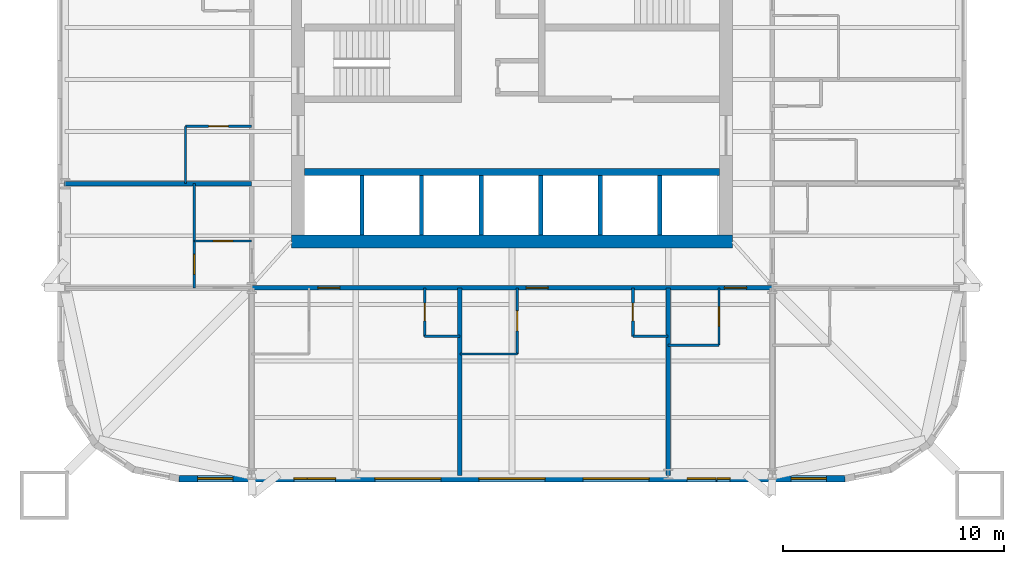
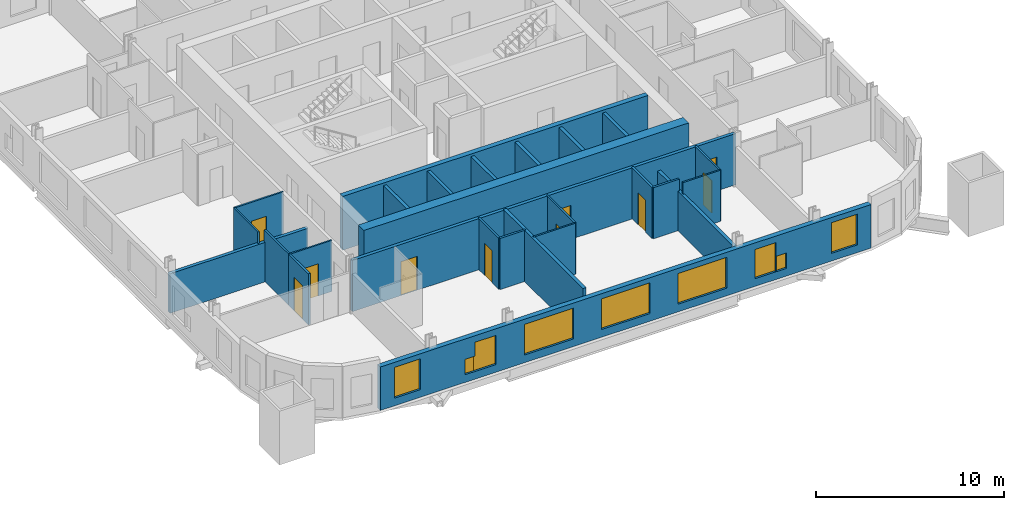
# One storey, part 3 of 9: 26 walls, 10 doors, 9 windows, 19 openings.
"""IFC4 building model written with IfcOpenShell, lengths in metres."""

from ifc_helpers import new_model, si_unit, direction, frame, frame_2d, origin, place, context, subcontext, project, spatial, rectangle, extrude, material, layer, layer_set, type_object, element, fill, save


model = new_model("IFC4")

# Units and contexts
model_context = context("Model", 3, precision=1e-05, world=origin(), true_north=direction((0.0, 1.0)))
body_context = subcontext(model_context, "Body", "Model", "MODEL_VIEW")
ifc_project = project(units=[si_unit("LENGTHUNIT", "METRE"), si_unit("AREAUNIT", "SQUARE_METRE"), si_unit("VOLUMEUNIT", "CUBIC_METRE"), si_unit("PLANEANGLEUNIT", "RADIAN"), si_unit("MASSUNIT", "GRAM", prefix="KILO")], contexts=[model_context])

# Site, building, storey
site_placement = place(None, origin())
site = spatial("IfcSite", under=ifc_project, at=site_placement, CompositionType="ELEMENT")
building_placement = place(site_placement, origin())
building = spatial("IfcBuilding", under=site, at=building_placement, Name="Turquesa Mirador Hotel Tower", CompositionType="ELEMENT")
storey_placement = place(building_placement, frame((0.0, 0.0, 107.39990234375)))
storey = spatial("IfcBuildingStorey", under=building, at=storey_placement, Name="L28", CompositionType="ELEMENT", Elevation=107.39990234375)

# Walls
ifc_material_1 = material(Name="Gypsum board on steel studs", Category="steel")
ifc_layer_1 = layer(ifc_material_1, 0.10009765625)
ifc_layer_set_1 = layer_set([ifc_layer_1], Name="BATHROOM WALL 100")
wall_type_1 = type_object("IfcWallType", Name="BATHROOM WALL 100", PredefinedType="PARTITIONING", material=ifc_layer_set_1)
wall_1_placement = place(storey_placement, frame((62.080078125, 30.60009765625, 0.0), z_axis=(0.0, 0.0, 1.0), x_axis=(1.0, 0.0, 0.0)))
element("IfcWall", 1, at=wall_1_placement, inside=storey, type_object=wall_type_1, Name="Partition L28 007", PredefinedType="PARTITIONING", context=body_context, shape_type="SweptSolid", body=[
    extrude(rectangle(XDim=2.2998046875, YDim=0.10009765625, at=frame_2d((1.14990234375, 0.0))), origin(), (0.0, 0.0, 1.0), 3.330078125),
])
wall_2_placement = place(storey_placement, frame((52.639892578125, 30.199951171875, 0.0), z_axis=(0.0, 0.0, 1.0), x_axis=(1.0, 0.0, 0.0)))
element("IfcWall", 2, at=wall_2_placement, inside=storey, type_object=wall_type_1, Name="Partition L28 010", PredefinedType="PARTITIONING", context=body_context, shape_type="SweptSolid", body=[
    extrude(rectangle(XDim=2.60009765625, YDim=0.10009765625, at=frame_2d((1.300048828125, 0.0))), origin(), (0.0, 0.0, 1.0), 3.330078125),
])

# Wall, opening, door
wall_3_placement = place(storey_placement, frame((40.199951171875, 40.52001953125, 0.0), z_axis=(0.0, 0.0, 1.0), x_axis=(1.0, 0.0, 0.0)))
wall_3 = element("IfcWall", 3, at=wall_3_placement, inside=storey, type_object=wall_type_1, Name="Partition L28 013", PredefinedType="PARTITIONING", context=body_context, shape_type="SweptSolid", body=[
    extrude(rectangle(XDim=3.0, YDim=0.10009765625, at=frame_2d((1.5, 0.0))), origin(), (0.0, 0.0, 1.0), 3.330078125),
])
opening_1_placement = place(wall_3_placement, frame((1.050048828125, 0.0, 0.0)))
opening_1 = element("IfcOpeningElement", 4, at=opening_1_placement, cuts=wall_3, Name="Opening D02", PredefinedType="OPENING", context=body_context, shape_type="SweptSolid", body=[
    extrude(rectangle(XDim=0.89990234375, YDim=2.10009765625, at=frame_2d((0.449951171875, 1.050048828125))), frame((0.0, 0.06005859375, 0.0), z_axis=(0.0, -1.0, 0.0), x_axis=(1.0, 0.0, 0.0)), (0.0, 0.0, 1.0), 0.1201171875),
])
ifc_material_2 = material(Name="Timber veneered door", Category="wood")
door_type_1 = type_object("IfcDoorType", Name="DOOR 900X2100 EN-SUITE", OperationType="SINGLE_SWING_RIGHT", PredefinedType="DOOR", material=ifc_material_2)
door_1_placement = place(opening_1_placement, origin())
door_1 = element("IfcDoor", 5, at=door_1_placement, inside=storey, type_object=door_type_1, Name="Door 2811B", OperationType="SINGLE_SWING_RIGHT", OverallHeight=2.10009765625, OverallWidth=0.89990234375, PredefinedType="DOOR", context=body_context, shape_type="SweptSolid", body=[
    extrude(rectangle(XDim=0.89990234375, YDim=2.10009765625, at=frame_2d((0.449951171875, 1.050048828125))), frame((0.0, 0.02490234375, 0.0), z_axis=(0.0, -1.0, 0.0), x_axis=(1.0, 0.0, 0.0)), (0.0, 0.0, 1.0), 0.050048828125),
])
fill(opening_1, door_1)

wall_4_placement = place(storey_placement, frame((40.60009765625, 35.320068359375, 0.0), z_axis=(0.0, 0.0, 1.0), x_axis=(1.0, 0.0, 0.0)))
wall_4 = element("IfcWall", 6, at=wall_4_placement, inside=storey, type_object=wall_type_1, Name="Partition L28 018", PredefinedType="PARTITIONING", context=body_context, shape_type="SweptSolid", body=[
    extrude(rectangle(XDim=2.599853515625, YDim=0.10009765625, at=frame_2d((1.2998046875, 0.0))), origin(), (0.0, 0.0, 1.0), 3.330078125),
])
opening_2_placement = place(wall_4_placement, frame((0.85009765625, 0.0, 0.0)))
opening_2 = element("IfcOpeningElement", 7, at=opening_2_placement, cuts=wall_4, Name="Opening D02", PredefinedType="OPENING", context=body_context, shape_type="SweptSolid", body=[
    extrude(rectangle(XDim=0.89990234375, YDim=2.10009765625, at=frame_2d((0.449951171875, 1.050048828125))), frame((0.0, 0.06005859375, 0.0), z_axis=(0.0, -1.0, 0.0), x_axis=(1.0, 0.0, 0.0)), (0.0, 0.0, 1.0), 0.1201171875),
])
door_2_placement = place(opening_2_placement, origin())
door_2 = element("IfcDoor", 8, at=door_2_placement, inside=storey, type_object=door_type_1, Name="Door 2815B", OperationType="SINGLE_SWING_RIGHT", OverallHeight=2.10009765625, OverallWidth=0.89990234375, PredefinedType="DOOR", context=body_context, shape_type="SweptSolid", body=[
    extrude(rectangle(XDim=0.89990234375, YDim=2.10009765625, at=frame_2d((0.449951171875, 1.050048828125))), frame((0.0, 0.02490234375, 0.0), z_axis=(0.0, -1.0, 0.0), x_axis=(1.0, 0.0, 0.0)), (0.0, 0.0, 1.0), 0.050048828125),
])
fill(opening_2, door_2)

# Walls
wall_5_placement = place(storey_placement, frame((40.60009765625, 35.320068359375, 0.0), z_axis=(0.0, 0.0, 1.0), x_axis=(0.0, 1.0, 0.0)))
element("IfcWall", 9, at=wall_5_placement, inside=storey, type_object=wall_type_1, Name="Partition L28 046", PredefinedType="PARTITIONING", context=body_context, shape_type="SweptSolid", body=[
    extrude(rectangle(XDim=2.599853515625, YDim=0.10009765625, at=frame_2d((1.2998046875, 0.0))), origin(), (0.0, 0.0, 1.0), 3.330078125),
])
wall_6_placement = place(storey_placement, frame((40.199951171875, 37.919921875, 0.0), z_axis=(0.0, 0.0, 1.0), x_axis=(0.0, 1.0, 0.0)))
element("IfcWall", 10, at=wall_6_placement, inside=storey, type_object=wall_type_1, Name="Partition L28 051", PredefinedType="PARTITIONING", context=body_context, shape_type="SweptSolid", body=[
    extrude(rectangle(XDim=2.60009765625, YDim=0.10009765625, at=frame_2d((1.300048828125, 0.0))), origin(), (0.0, 0.0, 1.0), 3.330078125),
])

# Wall, opening, door
wall_7_placement = place(storey_placement, frame((55.239990234375, 30.199951171875, 0.0), z_axis=(0.0, 0.0, 1.0), x_axis=(0.0, 1.0, 0.0)))
wall_7 = element("IfcWall", 11, at=wall_7_placement, inside=storey, type_object=wall_type_1, Name="Partition L28 058", PredefinedType="PARTITIONING", context=body_context, shape_type="SweptSolid", body=[
    extrude(rectangle(XDim=3.0, YDim=0.10009765625, at=frame_2d((1.5, 0.0))), origin(), (0.0, 0.0, 1.0), 3.330078125),
])
opening_3_placement = place(wall_7_placement, frame((1.050048828125, 0.0, 0.0)))
opening_3 = element("IfcOpeningElement", 12, at=opening_3_placement, cuts=wall_7, Name="Opening D02", PredefinedType="OPENING", context=body_context, shape_type="SweptSolid", body=[
    extrude(rectangle(XDim=0.89990234375, YDim=2.10009765625, at=frame_2d((0.449951171875, 1.050048828125))), frame((0.0, 0.06005859375, 0.0), z_axis=(0.0, -1.0, 0.0), x_axis=(1.0, 0.0, 0.0)), (0.0, 0.0, 1.0), 0.1201171875),
])
door_3_placement = place(opening_3_placement, origin())
door_3 = element("IfcDoor", 13, at=door_3_placement, inside=storey, type_object=door_type_1, Name="Door 2806B", OperationType="SINGLE_SWING_RIGHT", OverallHeight=2.10009765625, OverallWidth=0.89990234375, PredefinedType="DOOR", context=body_context, shape_type="SweptSolid", body=[
    extrude(rectangle(XDim=0.89990234375, YDim=2.10009765625, at=frame_2d((0.449951171875, 1.050048828125))), frame((0.0, 0.02490234375, 0.0), z_axis=(0.0, -1.0, 0.0), x_axis=(1.0, 0.0, 0.0)), (0.0, 0.0, 1.0), 0.050048828125),
])
fill(opening_3, door_3)

wall_8_placement = place(storey_placement, frame((64.3798828125, 30.60009765625, 0.0), z_axis=(0.0, 0.0, 1.0), x_axis=(0.0, 1.0, 0.0)))
wall_8 = element("IfcWall", 14, at=wall_8_placement, inside=storey, type_object=wall_type_1, Name="Partition L28 078", PredefinedType="PARTITIONING", context=body_context, shape_type="SweptSolid", body=[
    extrude(rectangle(XDim=2.599853515625, YDim=0.10009765625, at=frame_2d((1.2998046875, 0.0))), origin(), (0.0, 0.0, 1.0), 3.330078125),
])
opening_4_placement = place(wall_8_placement, frame((0.85009765625, 0.0, 0.0)))
opening_4 = element("IfcOpeningElement", 15, at=opening_4_placement, cuts=wall_8, Name="Opening D02", PredefinedType="OPENING", context=body_context, shape_type="SweptSolid", body=[
    extrude(rectangle(XDim=0.89990234375, YDim=2.10009765625, at=frame_2d((0.449951171875, 1.050048828125))), frame((0.0, 0.06005859375, 0.0), z_axis=(0.0, -1.0, 0.0), x_axis=(1.0, 0.0, 0.0)), (0.0, 0.0, 1.0), 0.1201171875),
])
door_4_placement = place(opening_4_placement, origin())
door_4 = element("IfcDoor", 16, at=door_4_placement, inside=storey, type_object=door_type_1, Name="Door 2807B", OperationType="SINGLE_SWING_RIGHT", OverallHeight=2.10009765625, OverallWidth=0.89990234375, PredefinedType="DOOR", context=body_context, shape_type="SweptSolid", body=[
    extrude(rectangle(XDim=0.89990234375, YDim=2.10009765625, at=frame_2d((0.449951171875, 1.050048828125))), frame((0.0, 0.02490234375, 0.0), z_axis=(0.0, -1.0, 0.0), x_axis=(1.0, 0.0, 0.0)), (0.0, 0.0, 1.0), 0.050048828125),
])
fill(opening_4, door_4)

# Walls
ifc_material_3 = material(Name="Concrete C50/60", Category="concrete")
ifc_layer_2 = layer(ifc_material_3, 0.300048828125)
ifc_layer_set_2 = layer_set([ifc_layer_2], Name="CORE INNER WALL 300")
wall_type_2 = type_object("IfcWallType", Name="CORE INNER WALL 300", PredefinedType="SHEAR", material=ifc_layer_set_2)
wall_9_placement = place(storey_placement, frame((45.60009765625, 38.449951171875, 0.0), z_axis=(0.0, 0.0, 1.0), x_axis=(1.0, 0.0, 0.0)))
element("IfcWall", 17, at=wall_9_placement, inside=storey, type_object=wall_type_2, Name="Core wall SL", PredefinedType="SHEAR", context=body_context, shape_type="SweptSolid", body=[
    extrude(rectangle(XDim=18.7998046875, YDim=0.300048828125, at=frame_2d((9.39990234375, 0.0))), origin(), (0.0, 0.0, 1.0), 3.5),
])
ifc_material_4 = material(Name="Concrete C50/60", Category="concrete")
ifc_layer_3 = layer(ifc_material_4, 0.60009765625)
ifc_layer_set_3 = layer_set([ifc_layer_3], Name="CORE WALL 600")
wall_type_3 = type_object("IfcWallType", Name="CORE WALL 600", PredefinedType="SHEAR", material=ifc_layer_set_3)
wall_10_placement = place(storey_placement, frame((45.0, 35.300048828125, 0.0), z_axis=(0.0, 0.0, 1.0), x_axis=(1.0, 0.0, 0.0)))
element("IfcWall", 18, at=wall_10_placement, inside=storey, type_object=wall_type_3, Name="Core wall S", PredefinedType="SHEAR", context=body_context, shape_type="SweptSolid", body=[
    extrude(rectangle(XDim=20.0, YDim=0.60009765625, at=frame_2d((10.0, 0.0))), origin(), (0.0, 0.0, 1.0), 3.5),
])

# Wall, openings, doors
ifc_material_5 = material(Name="Fire-rated gypsum board on steel studs", Category="steel")
ifc_layer_4 = layer(ifc_material_5, 0.199951171875)
ifc_layer_set_4 = layer_set([ifc_layer_4], Name="CORRIDOR WALL 200")
wall_type_4 = type_object("IfcWallType", Name="CORRIDOR WALL 200", PredefinedType="PARTITIONING", material=ifc_layer_set_4)
wall_11_placement = place(storey_placement, frame((43.199951171875, 33.199951171875, 0.0), z_axis=(0.0, 0.0, 1.0), x_axis=(1.0, 0.0, 0.0)))
wall_11 = element("IfcWall", 19, at=wall_11_placement, inside=storey, type_object=wall_type_4, Name="Partition L28 002", PredefinedType="PARTITIONING", context=body_context, shape_type="SweptSolid", body=[
    extrude(rectangle(XDim=23.60009765625, YDim=0.199951171875, at=frame_2d((11.800048828125, 0.0))), origin(), (0.0, 0.0, 1.0), 3.330078125),
])
opening_5_placement = place(wall_11_placement, frame((3.0, 0.0, 0.0)))
opening_5 = element("IfcOpeningElement", 20, at=opening_5_placement, cuts=wall_11, Name="Opening D01", PredefinedType="OPENING", context=body_context, shape_type="SweptSolid", body=[
    extrude(rectangle(XDim=1.0, YDim=2.199951171875, at=frame_2d((0.5, 1.10009765625))), frame((0.0, 0.10986328125, 0.0), z_axis=(0.0, -1.0, 0.0), x_axis=(1.0, 0.0, 0.0)), (0.0, 0.0, 1.0), 0.219970703125),
])
opening_6_placement = place(wall_11_placement, frame((12.43994140625, 0.0, 0.0)))
opening_6 = element("IfcOpeningElement", 21, at=opening_6_placement, cuts=wall_11, Name="Opening D01", PredefinedType="OPENING", context=body_context, shape_type="SweptSolid", body=[
    extrude(rectangle(XDim=1.0, YDim=2.199951171875, at=frame_2d((0.5, 1.10009765625))), frame((0.0, 0.10986328125, 0.0), z_axis=(0.0, -1.0, 0.0), x_axis=(1.0, 0.0, 0.0)), (0.0, 0.0, 1.0), 0.219970703125),
])
opening_7_placement = place(wall_11_placement, frame((21.429931640625, 0.0, 0.0)))
opening_7 = element("IfcOpeningElement", 22, at=opening_7_placement, cuts=wall_11, Name="Opening D01", PredefinedType="OPENING", context=body_context, shape_type="SweptSolid", body=[
    extrude(rectangle(XDim=1.0, YDim=2.199951171875, at=frame_2d((0.5, 1.10009765625))), frame((0.0, 0.10986328125, 0.0), z_axis=(0.0, -1.0, 0.0), x_axis=(1.0, 0.0, 0.0)), (0.0, 0.0, 1.0), 0.219970703125),
])
ifc_material_6 = material(Name="Timber veneered fire door", Category="wood")
door_type_2 = type_object("IfcDoorType", Name="DOOR 1000X2200 GUEST ENTRY", OperationType="SINGLE_SWING_LEFT", PredefinedType="DOOR", material=ifc_material_6)
door_5_placement = place(opening_5_placement, origin())
door_5 = element("IfcDoor", 23, at=door_5_placement, inside=storey, type_object=door_type_2, Name="Door 2805", OperationType="SINGLE_SWING_LEFT", OverallHeight=2.199951171875, OverallWidth=1.0, PredefinedType="DOOR", context=body_context, shape_type="SweptSolid", body=[
    extrude(rectangle(XDim=1.0, YDim=2.199951171875, at=frame_2d((0.5, 1.10009765625))), frame((0.0, 0.02490234375, 0.0), z_axis=(0.0, -1.0, 0.0), x_axis=(1.0, 0.0, 0.0)), (0.0, 0.0, 1.0), 0.050048828125),
])
fill(opening_5, door_5)
door_6_placement = place(opening_6_placement, origin())
door_6 = element("IfcDoor", 24, at=door_6_placement, inside=storey, type_object=door_type_2, Name="Door 2806", OperationType="SINGLE_SWING_LEFT", OverallHeight=2.199951171875, OverallWidth=1.0, PredefinedType="DOOR", context=body_context, shape_type="SweptSolid", body=[
    extrude(rectangle(XDim=1.0, YDim=2.199951171875, at=frame_2d((0.5, 1.10009765625))), frame((0.0, 0.02490234375, 0.0), z_axis=(0.0, -1.0, 0.0), x_axis=(1.0, 0.0, 0.0)), (0.0, 0.0, 1.0), 0.050048828125),
])
fill(opening_6, door_6)
door_7_placement = place(opening_7_placement, origin())
door_7 = element("IfcDoor", 25, at=door_7_placement, inside=storey, type_object=door_type_2, Name="Door 2807", OperationType="SINGLE_SWING_LEFT", OverallHeight=2.199951171875, OverallWidth=1.0, PredefinedType="DOOR", context=body_context, shape_type="SweptSolid", body=[
    extrude(rectangle(XDim=1.0, YDim=2.199951171875, at=frame_2d((0.5, 1.10009765625))), frame((0.0, 0.02490234375, 0.0), z_axis=(0.0, -1.0, 0.0), x_axis=(1.0, 0.0, 0.0)), (0.0, 0.0, 1.0), 0.050048828125),
])
fill(opening_7, door_7)

# Wall, openings, windows
ifc_material_7 = material(Name="Limestone cladding on concrete block", Category="masonry")
ifc_layer_5 = layer(ifc_material_7, 0.300048828125)
ifc_layer_set_5 = layer_set([ifc_layer_5], Name="FACADE WALL 300 STONE SCREEN")
wall_type_5 = type_object("IfcWallType", Name="FACADE WALL 300 STONE SCREEN", PredefinedType="SOLIDWALL", material=ifc_layer_set_5)
wall_12_placement = place(storey_placement, frame((39.89990234375, 24.550048828125, 0.0), z_axis=(0.0, 0.0, 1.0), x_axis=(1.0, 0.0, 0.0)))
wall_12 = element("IfcWall", 26, at=wall_12_placement, inside=storey, type_object=wall_type_5, Name="Facade wall L28 19", PredefinedType="SOLIDWALL", context=body_context, shape_type="SweptSolid", body=[
    extrude(rectangle(XDim=30.2001953125, YDim=0.300048828125, at=frame_2d((15.10009765625, 0.0))), origin(), (0.0, 0.0, 1.0), 2.830078125),
])
opening_8_placement = place(wall_12_placement, frame((0.85009765625, 0.0, 0.5)))
opening_8 = element("IfcOpeningElement", 27, at=opening_8_placement, cuts=wall_12, Name="Opening WN3", PredefinedType="OPENING", context=body_context, shape_type="SweptSolid", body=[
    extrude(rectangle(XDim=1.60009765625, YDim=2.0, at=frame_2d((0.800048828125, 1.0))), frame((0.0, 0.159912109375, 0.0), z_axis=(0.0, -1.0, 0.0), x_axis=(1.0, 0.0, 0.0)), (0.0, 0.0, 1.0), 0.320068359375),
])
opening_9_placement = place(wall_12_placement, frame((5.81005859375, 0.0, 0.5)))
opening_9 = element("IfcOpeningElement", 28, at=opening_9_placement, cuts=wall_12, Name="Opening WN27", PredefinedType="OPENING", context=body_context, shape_type="SweptSolid", body=[
    extrude(rectangle(XDim=1.300048828125, YDim=1.89990234375, at=frame_2d((0.64990234375, 0.949951171875))), frame((0.0, 0.159912109375, 0.0), z_axis=(0.0, -1.0, 0.0), x_axis=(1.0, 0.0, 0.0)), (0.0, 0.0, 1.0), 0.320068359375),
])
opening_10_placement = place(wall_12_placement, frame((8.8798828125, 0.0, 0.5)))
opening_10 = element("IfcOpeningElement", 29, at=opening_10_placement, cuts=wall_12, Name="Opening WN1", PredefinedType="OPENING", context=body_context, shape_type="SweptSolid", body=[
    extrude(rectangle(XDim=3.0, YDim=2.0, at=frame_2d((1.5, 1.0))), frame((0.0, 0.159912109375, 0.0), z_axis=(0.0, -1.0, 0.0), x_axis=(1.0, 0.0, 0.0)), (0.0, 0.0, 1.0), 0.320068359375),
])
opening_11_placement = place(wall_12_placement, frame((13.60009765625, 0.0, 0.5)))
opening_11 = element("IfcOpeningElement", 30, at=opening_11_placement, cuts=wall_12, Name="Opening WN1", PredefinedType="OPENING", context=body_context, shape_type="SweptSolid", body=[
    extrude(rectangle(XDim=3.0, YDim=2.0, at=frame_2d((1.5, 1.0))), frame((0.0, 0.159912109375, 0.0), z_axis=(0.0, -1.0, 0.0), x_axis=(1.0, 0.0, 0.0)), (0.0, 0.0, 1.0), 0.320068359375),
])
opening_12_placement = place(wall_12_placement, frame((18.320068359375, 0.0, 0.5)))
opening_12 = element("IfcOpeningElement", 31, at=opening_12_placement, cuts=wall_12, Name="Opening WN1", PredefinedType="OPENING", context=body_context, shape_type="SweptSolid", body=[
    extrude(rectangle(XDim=3.0, YDim=2.0, at=frame_2d((1.5, 1.0))), frame((0.0, 0.159912109375, 0.0), z_axis=(0.0, -1.0, 0.0), x_axis=(1.0, 0.0, 0.0)), (0.0, 0.0, 1.0), 0.320068359375),
])
opening_13_placement = place(wall_12_placement, frame((23.0400390625, 0.0, 0.5)))
opening_13 = element("IfcOpeningElement", 32, at=opening_13_placement, cuts=wall_12, Name="Opening WN27", PredefinedType="OPENING", context=body_context, shape_type="SweptSolid", body=[
    extrude(rectangle(XDim=1.300048828125, YDim=1.89990234375, at=frame_2d((0.64990234375, 0.949951171875))), frame((0.0, 0.159912109375, 0.0), z_axis=(0.0, -1.0, 0.0), x_axis=(1.0, 0.0, 0.0)), (0.0, 0.0, 1.0), 0.320068359375),
])
opening_14_placement = place(wall_12_placement, frame((27.75, 0.0, 0.5)))
opening_14 = element("IfcOpeningElement", 33, at=opening_14_placement, cuts=wall_12, Name="Opening WN3", PredefinedType="OPENING", context=body_context, shape_type="SweptSolid", body=[
    extrude(rectangle(XDim=1.60009765625, YDim=2.0, at=frame_2d((0.800048828125, 1.0))), frame((0.0, 0.159912109375, 0.0), z_axis=(0.0, -1.0, 0.0), x_axis=(1.0, 0.0, 0.0)), (0.0, 0.0, 1.0), 0.320068359375),
])
opening_15_placement = place(wall_12_placement, frame((5.2099609375, 0.0, 0.5)))
opening_15 = element("IfcOpeningElement", 34, at=opening_15_placement, cuts=wall_12, Name="Opening WN29", PredefinedType="OPENING", context=body_context, shape_type="SweptSolid", body=[
    extrude(rectangle(XDim=0.60009765625, YDim=1.0, at=frame_2d((0.300048828125, 0.5))), frame((0.0, 0.159912109375, 0.0), z_axis=(0.0, -1.0, 0.0), x_axis=(1.0, 0.0, 0.0)), (0.0, 0.0, 1.0), 0.320068359375),
])
opening_16_placement = place(wall_12_placement, frame((24.389892578125, 0.0, 0.5)))
opening_16 = element("IfcOpeningElement", 35, at=opening_16_placement, cuts=wall_12, Name="Opening WN29", PredefinedType="OPENING", context=body_context, shape_type="SweptSolid", body=[
    extrude(rectangle(XDim=0.60009765625, YDim=1.0, at=frame_2d((0.300048828125, 0.5))), frame((0.0, 0.159912109375, 0.0), z_axis=(0.0, -1.0, 0.0), x_axis=(1.0, 0.0, 0.0)), (0.0, 0.0, 1.0), 0.320068359375),
])
ifc_material_8 = material(Name="Ceramic-fritted laminated glass", Category="glass")
window_type_1 = type_object("IfcWindowType", Name="FRITTED WINDOW 1300X1900", PartitioningType="DOUBLE_PANEL_HORIZONTAL", PredefinedType="WINDOW", material=ifc_material_8)
window_1_placement = place(opening_9_placement, origin())
window_1 = element("IfcWindow", 36, at=window_1_placement, inside=storey, type_object=window_type_1, Name="Window L28", OverallHeight=1.89990234375, OverallWidth=1.300048828125, PartitioningType="SINGLE_PANEL", PredefinedType="WINDOW", context=body_context, shape_type="SweptSolid", body=[
    extrude(rectangle(XDim=1.300048828125, YDim=1.89990234375, at=frame_2d((0.64990234375, 0.949951171875))), frame((0.0, 0.030029296875, 0.0), z_axis=(0.0, -1.0, 0.0), x_axis=(1.0, 0.0, 0.0)), (0.0, 0.0, 1.0), 0.06005859375),
])
fill(opening_9, window_1)
window_2_placement = place(opening_13_placement, origin())
window_2 = element("IfcWindow", 37, at=window_2_placement, inside=storey, type_object=window_type_1, Name="Window L28", OverallHeight=1.89990234375, OverallWidth=1.300048828125, PartitioningType="SINGLE_PANEL", PredefinedType="WINDOW", context=body_context, shape_type="SweptSolid", body=[
    extrude(rectangle(XDim=1.300048828125, YDim=1.89990234375, at=frame_2d((0.64990234375, 0.949951171875))), frame((0.0, 0.030029296875, 0.0), z_axis=(0.0, -1.0, 0.0), x_axis=(1.0, 0.0, 0.0)), (0.0, 0.0, 1.0), 0.06005859375),
])
fill(opening_13, window_2)
ifc_material_9 = material(Name="Ceramic-fritted laminated glass", Category="glass")
window_type_2 = type_object("IfcWindowType", Name="FRITTED WINDOW 1600X2000", PartitioningType="DOUBLE_PANEL_HORIZONTAL", PredefinedType="WINDOW", material=ifc_material_9)
window_3_placement = place(opening_8_placement, origin())
window_3 = element("IfcWindow", 38, at=window_3_placement, inside=storey, type_object=window_type_2, Name="Window L28", OverallHeight=2.0, OverallWidth=1.60009765625, PartitioningType="SINGLE_PANEL", PredefinedType="WINDOW", context=body_context, shape_type="SweptSolid", body=[
    extrude(rectangle(XDim=1.60009765625, YDim=2.0, at=frame_2d((0.800048828125, 1.0))), frame((0.0, 0.030029296875, 0.0), z_axis=(0.0, -1.0, 0.0), x_axis=(1.0, 0.0, 0.0)), (0.0, 0.0, 1.0), 0.06005859375),
])
fill(opening_8, window_3)
window_4_placement = place(opening_14_placement, origin())
window_4 = element("IfcWindow", 39, at=window_4_placement, inside=storey, type_object=window_type_2, Name="Window L28", OverallHeight=2.0, OverallWidth=1.60009765625, PartitioningType="SINGLE_PANEL", PredefinedType="WINDOW", context=body_context, shape_type="SweptSolid", body=[
    extrude(rectangle(XDim=1.60009765625, YDim=2.0, at=frame_2d((0.800048828125, 1.0))), frame((0.0, 0.030029296875, 0.0), z_axis=(0.0, -1.0, 0.0), x_axis=(1.0, 0.0, 0.0)), (0.0, 0.0, 1.0), 0.06005859375),
])
fill(opening_14, window_4)
ifc_material_10 = material(Name="Ceramic-fritted laminated glass", Category="glass")
window_type_3 = type_object("IfcWindowType", Name="FRITTED WINDOW 3000X2000", PartitioningType="DOUBLE_PANEL_HORIZONTAL", PredefinedType="WINDOW", material=ifc_material_10)
window_5_placement = place(opening_10_placement, origin())
window_5 = element("IfcWindow", 40, at=window_5_placement, inside=storey, type_object=window_type_3, Name="Window L28", OverallHeight=2.0, OverallWidth=3.0, PartitioningType="SINGLE_PANEL", PredefinedType="WINDOW", context=body_context, shape_type="SweptSolid", body=[
    extrude(rectangle(XDim=3.0, YDim=2.0, at=frame_2d((1.5, 1.0))), frame((0.0, 0.030029296875, 0.0), z_axis=(0.0, -1.0, 0.0), x_axis=(1.0, 0.0, 0.0)), (0.0, 0.0, 1.0), 0.06005859375),
])
fill(opening_10, window_5)
window_6_placement = place(opening_11_placement, origin())
window_6 = element("IfcWindow", 41, at=window_6_placement, inside=storey, type_object=window_type_3, Name="Window L28", OverallHeight=2.0, OverallWidth=3.0, PartitioningType="SINGLE_PANEL", PredefinedType="WINDOW", context=body_context, shape_type="SweptSolid", body=[
    extrude(rectangle(XDim=3.0, YDim=2.0, at=frame_2d((1.5, 1.0))), frame((0.0, 0.030029296875, 0.0), z_axis=(0.0, -1.0, 0.0), x_axis=(1.0, 0.0, 0.0)), (0.0, 0.0, 1.0), 0.06005859375),
])
fill(opening_11, window_6)
window_7_placement = place(opening_12_placement, origin())
window_7 = element("IfcWindow", 42, at=window_7_placement, inside=storey, type_object=window_type_3, Name="Window L28", OverallHeight=2.0, OverallWidth=3.0, PartitioningType="SINGLE_PANEL", PredefinedType="WINDOW", context=body_context, shape_type="SweptSolid", body=[
    extrude(rectangle(XDim=3.0, YDim=2.0, at=frame_2d((1.5, 1.0))), frame((0.0, 0.030029296875, 0.0), z_axis=(0.0, -1.0, 0.0), x_axis=(1.0, 0.0, 0.0)), (0.0, 0.0, 1.0), 0.06005859375),
])
fill(opening_12, window_7)
ifc_material_11 = material(Name="Ceramic-fritted laminated glass", Category="glass")
window_type_4 = type_object("IfcWindowType", Name="FRITTED WINDOW 600X1000", PartitioningType="DOUBLE_PANEL_HORIZONTAL", PredefinedType="WINDOW", material=ifc_material_11)
window_8_placement = place(opening_15_placement, origin())
window_8 = element("IfcWindow", 43, at=window_8_placement, inside=storey, type_object=window_type_4, Name="Window L28", OverallHeight=1.0, OverallWidth=0.60009765625, PartitioningType="SINGLE_PANEL", PredefinedType="WINDOW", context=body_context, shape_type="SweptSolid", body=[
    extrude(rectangle(XDim=0.60009765625, YDim=1.0, at=frame_2d((0.300048828125, 0.5))), frame((0.0, 0.030029296875, 0.0), z_axis=(0.0, -1.0, 0.0), x_axis=(1.0, 0.0, 0.0)), (0.0, 0.0, 1.0), 0.06005859375),
])
fill(opening_15, window_8)
window_9_placement = place(opening_16_placement, origin())
window_9 = element("IfcWindow", 44, at=window_9_placement, inside=storey, type_object=window_type_4, Name="Window L28", OverallHeight=1.0, OverallWidth=0.60009765625, PartitioningType="SINGLE_PANEL", PredefinedType="WINDOW", context=body_context, shape_type="SweptSolid", body=[
    extrude(rectangle(XDim=0.60009765625, YDim=1.0, at=frame_2d((0.300048828125, 0.5))), frame((0.0, 0.030029296875, 0.0), z_axis=(0.0, -1.0, 0.0), x_axis=(1.0, 0.0, 0.0)), (0.0, 0.0, 1.0), 0.06005859375),
])
fill(opening_16, window_9)

# Walls
ifc_material_12 = material(Name="Fire-rated gypsum shaft wall on steel studs", Category="steel")
ifc_layer_6 = layer(ifc_material_12, 0.199951171875)
ifc_layer_set_6 = layer_set([ifc_layer_6], Name="LIFT SHAFT DIVIDER 200")
wall_type_6 = type_object("IfcWallType", Name="LIFT SHAFT DIVIDER 200", PredefinedType="PARTITIONING", material=ifc_layer_set_6)
for number, where, z_axis, x_axis, name in (
    (45, (48.199951171875, 35.60009765625, 0.0), (0.0, 0.0, 1.0), (0.0, 1.0, 0.0), "Lift shaft divider"),
    (46, (50.89990234375, 35.60009765625, 0.0), (0.0, 0.0, 1.0), (0.0, 1.0, 0.0), "Lift shaft divider"),
    (47, (53.60009765625, 35.60009765625, 0.0), (0.0, 0.0, 1.0), (0.0, 1.0, 0.0), "Lift shaft divider"),
    (48, (56.300048828125, 35.60009765625, 0.0), (0.0, 0.0, 1.0), (0.0, 1.0, 0.0), "Lift shaft divider"),
    (49, (59.0, 35.60009765625, 0.0), (0.0, 0.0, 1.0), (0.0, 1.0, 0.0), "Lift shaft divider"),
    (50, (61.699951171875, 35.60009765625, 0.0), (0.0, 0.0, 1.0), (0.0, 1.0, 0.0), "Lift shaft divider"),
):
    element("IfcWall", number, at=place(storey_placement, frame(where, z_axis=z_axis, x_axis=x_axis)), inside=storey, type_object=wall_type_6, Name=name, PredefinedType="PARTITIONING", context=body_context, shape_type="SweptSolid", body=[
        extrude(rectangle(XDim=2.699951171875, YDim=0.199951171875, at=frame_2d((1.35009765625, 0.0))), origin(), (0.0, 0.0, 1.0), 3.330078125),
    ])
ifc_material_13 = material(Name="Fire-rated gypsum board on steel studs", Category="steel")
ifc_layer_7 = layer(ifc_material_13, 0.199951171875)
ifc_layer_set_7 = layer_set([ifc_layer_7], Name="PARTY WALL 200")
wall_type_7 = type_object("IfcWallType", Name="PARTY WALL 200", PredefinedType="PARTITIONING", material=ifc_layer_set_7)
wall_13_placement = place(storey_placement, frame((34.699951171875, 37.919921875, 0.0), z_axis=(0.0, 0.0, 1.0), x_axis=(1.0, 0.0, 0.0)))
element("IfcWall", 51, at=wall_13_placement, inside=storey, type_object=wall_type_7, Name="Partition L28 015", PredefinedType="PARTITIONING", context=body_context, shape_type="SweptSolid", body=[
    extrude(rectangle(XDim=8.5, YDim=0.199951171875, at=frame_2d((4.25, 0.0))), origin(), (0.0, 0.0, 1.0), 2.5732421875),
])
wall_14_placement = place(storey_placement, frame((52.639892578125, 24.699951171875, 0.0), z_axis=(0.0, 0.0, 1.0), x_axis=(0.0, 1.0, 0.0)))
element("IfcWall", 52, at=wall_14_placement, inside=storey, type_object=wall_type_7, Name="Partition L28 052", PredefinedType="PARTITIONING", context=body_context, shape_type="SweptSolid", body=[
    extrude(rectangle(XDim=8.5, YDim=0.199951171875, at=frame_2d((4.25, 0.0))), origin(), (0.0, 0.0, 1.0), 3.330078125),
])
wall_15_placement = place(storey_placement, frame((62.080078125, 24.699951171875, 0.0), z_axis=(0.0, 0.0, 1.0), x_axis=(0.0, 1.0, 0.0)))
element("IfcWall", 53, at=wall_15_placement, inside=storey, type_object=wall_type_7, Name="Partition L28 075", PredefinedType="PARTITIONING", context=body_context, shape_type="SweptSolid", body=[
    extrude(rectangle(XDim=8.5, YDim=0.199951171875, at=frame_2d((4.25, 0.0))), origin(), (0.0, 0.0, 1.0), 2.5732421875),
])
ifc_material_14 = material(Name="Acoustic gypsum board on steel studs", Category="steel")
ifc_layer_8 = layer(ifc_material_14, 0.125)
ifc_layer_set_8 = layer_set([ifc_layer_8], Name="SUITE PARTITION 125")
wall_type_8 = type_object("IfcWallType", Name="SUITE PARTITION 125", PredefinedType="PARTITIONING", material=ifc_layer_set_8)
wall_16_placement = place(storey_placement, frame((51.0400390625, 31.0, 0.0), z_axis=(0.0, 0.0, 1.0), x_axis=(1.0, 0.0, 0.0)))
element("IfcWall", 54, at=wall_16_placement, inside=storey, type_object=wall_type_8, Name="Partition L28 005", PredefinedType="PARTITIONING", context=body_context, shape_type="SweptSolid", body=[
    extrude(rectangle(XDim=1.599853515625, YDim=0.125, at=frame_2d((0.7998046875, 0.0))), origin(), (0.0, 0.0, 1.0), 3.330078125),
])
wall_17_placement = place(storey_placement, frame((60.47998046875, 31.0, 0.0), z_axis=(0.0, 0.0, 1.0), x_axis=(1.0, 0.0, 0.0)))
element("IfcWall", 55, at=wall_17_placement, inside=storey, type_object=wall_type_8, Name="Partition L28 006", PredefinedType="PARTITIONING", context=body_context, shape_type="SweptSolid", body=[
    extrude(rectangle(XDim=1.60009765625, YDim=0.125, at=frame_2d((0.800048828125, 0.0))), origin(), (0.0, 0.0, 1.0), 3.330078125),
])

# Wall, opening, door
wall_18_placement = place(storey_placement, frame((40.60009765625, 33.199951171875, 0.0), z_axis=(0.0, 0.0, 1.0), x_axis=(0.0, 1.0, 0.0)))
wall_18 = element("IfcWall", 56, at=wall_18_placement, inside=storey, type_object=wall_type_8, Name="Partition L28 048", PredefinedType="PARTITIONING", context=body_context, shape_type="SweptSolid", body=[
    extrude(rectangle(XDim=2.1201171875, YDim=0.125, at=frame_2d((1.06005859375, 0.0))), origin(), (0.0, 0.0, 1.0), 3.330078125),
])
opening_17_placement = place(wall_18_placement, frame((0.610107421875, 0.0, 0.0)))
opening_17 = element("IfcOpeningElement", 57, at=opening_17_placement, cuts=wall_18, Name="Opening D17", PredefinedType="OPENING", context=body_context, shape_type="SweptSolid", body=[
    extrude(rectangle(XDim=0.89990234375, YDim=2.199951171875, at=frame_2d((0.449951171875, 1.10009765625))), frame((0.0, 0.072509765625, 0.0), z_axis=(0.0, -1.0, 0.0), x_axis=(1.0, 0.0, 0.0)), (0.0, 0.0, 1.0), 0.14501953125),
])
ifc_material_15 = material(Name="Timber veneered door", Category="wood")
door_type_3 = type_object("IfcDoorType", Name="DOOR 900X2200 SUITE INTERNAL", OperationType="SINGLE_SWING_LEFT", PredefinedType="DOOR", material=ifc_material_15)
door_8_placement = place(opening_17_placement, origin())
door_8 = element("IfcDoor", 58, at=door_8_placement, inside=storey, type_object=door_type_3, Name="Door 2815R", OperationType="SINGLE_SWING_LEFT", OverallHeight=2.199951171875, OverallWidth=0.89990234375, PredefinedType="DOOR", context=body_context, shape_type="SweptSolid", body=[
    extrude(rectangle(XDim=0.89990234375, YDim=2.199951171875, at=frame_2d((0.449951171875, 1.10009765625))), frame((0.0, 0.02490234375, 0.0), z_axis=(0.0, -1.0, 0.0), x_axis=(1.0, 0.0, 0.0)), (0.0, 0.0, 1.0), 0.050048828125),
])
fill(opening_17, door_8)

wall_19_placement = place(storey_placement, frame((51.0400390625, 31.0, 0.0), z_axis=(0.0, 0.0, 1.0), x_axis=(0.0, 1.0, 0.0)))
wall_19 = element("IfcWall", 59, at=wall_19_placement, inside=storey, type_object=wall_type_8, Name="Partition L28 053", PredefinedType="PARTITIONING", context=body_context, shape_type="SweptSolid", body=[
    extrude(rectangle(XDim=2.199951171875, YDim=0.125, at=frame_2d((1.10009765625, 0.0))), origin(), (0.0, 0.0, 1.0), 3.330078125),
])
opening_18_placement = place(wall_19_placement, frame((0.699951171875, 0.0, 0.0)))
opening_18 = element("IfcOpeningElement", 60, at=opening_18_placement, cuts=wall_19, Name="Opening D20", PredefinedType="OPENING", context=body_context, shape_type="SweptSolid", body=[
    extrude(rectangle(XDim=0.800048828125, YDim=2.10009765625, at=frame_2d((0.39990234375, 1.050048828125))), frame((0.0, 0.072509765625, 0.0), z_axis=(0.0, -1.0, 0.0), x_axis=(1.0, 0.0, 0.0)), (0.0, 0.0, 1.0), 0.14501953125),
])
ifc_material_16 = material(Name="Timber veneered sliding door", Category="wood")
door_type_4 = type_object("IfcDoorType", Name="DOOR 800X2100 WARDROBE", OperationType="SLIDING_TO_LEFT", PredefinedType="DOOR", material=ifc_material_16)
door_9_placement = place(opening_18_placement, origin())
door_9 = element("IfcDoor", 61, at=door_9_placement, inside=storey, type_object=door_type_4, Name="Door 2805W", OperationType="SLIDING_TO_LEFT", OverallHeight=2.10009765625, OverallWidth=0.800048828125, PredefinedType="DOOR", context=body_context, shape_type="SweptSolid", body=[
    extrude(rectangle(XDim=0.800048828125, YDim=2.10009765625, at=frame_2d((0.39990234375, 1.050048828125))), frame((0.0, 0.02490234375, 0.0), z_axis=(0.0, -1.0, 0.0), x_axis=(1.0, 0.0, 0.0)), (0.0, 0.0, 1.0), 0.050048828125),
])
fill(opening_18, door_9)

wall_20_placement = place(storey_placement, frame((60.47998046875, 31.0, 0.0), z_axis=(0.0, 0.0, 1.0), x_axis=(0.0, 1.0, 0.0)))
wall_20 = element("IfcWall", 62, at=wall_20_placement, inside=storey, type_object=wall_type_8, Name="Partition L28 074", PredefinedType="PARTITIONING", context=body_context, shape_type="SweptSolid", body=[
    extrude(rectangle(XDim=2.199951171875, YDim=0.125, at=frame_2d((1.10009765625, 0.0))), origin(), (0.0, 0.0, 1.0), 3.330078125),
])
opening_19_placement = place(wall_20_placement, frame((0.699951171875, 0.0, 0.0)))
opening_19 = element("IfcOpeningElement", 63, at=opening_19_placement, cuts=wall_20, Name="Opening D20", PredefinedType="OPENING", context=body_context, shape_type="SweptSolid", body=[
    extrude(rectangle(XDim=0.800048828125, YDim=2.10009765625, at=frame_2d((0.39990234375, 1.050048828125))), frame((0.0, 0.072509765625, 0.0), z_axis=(0.0, -1.0, 0.0), x_axis=(1.0, 0.0, 0.0)), (0.0, 0.0, 1.0), 0.14501953125),
])
door_10_placement = place(opening_19_placement, origin())
door_10 = element("IfcDoor", 64, at=door_10_placement, inside=storey, type_object=door_type_4, Name="Door 2806W", OperationType="SLIDING_TO_LEFT", OverallHeight=2.10009765625, OverallWidth=0.800048828125, PredefinedType="DOOR", context=body_context, shape_type="SweptSolid", body=[
    extrude(rectangle(XDim=0.800048828125, YDim=2.10009765625, at=frame_2d((0.39990234375, 1.050048828125))), frame((0.0, 0.02490234375, 0.0), z_axis=(0.0, -1.0, 0.0), x_axis=(1.0, 0.0, 0.0)), (0.0, 0.0, 1.0), 0.050048828125),
])
fill(opening_19, door_10)

save(model, "model.ifc")
